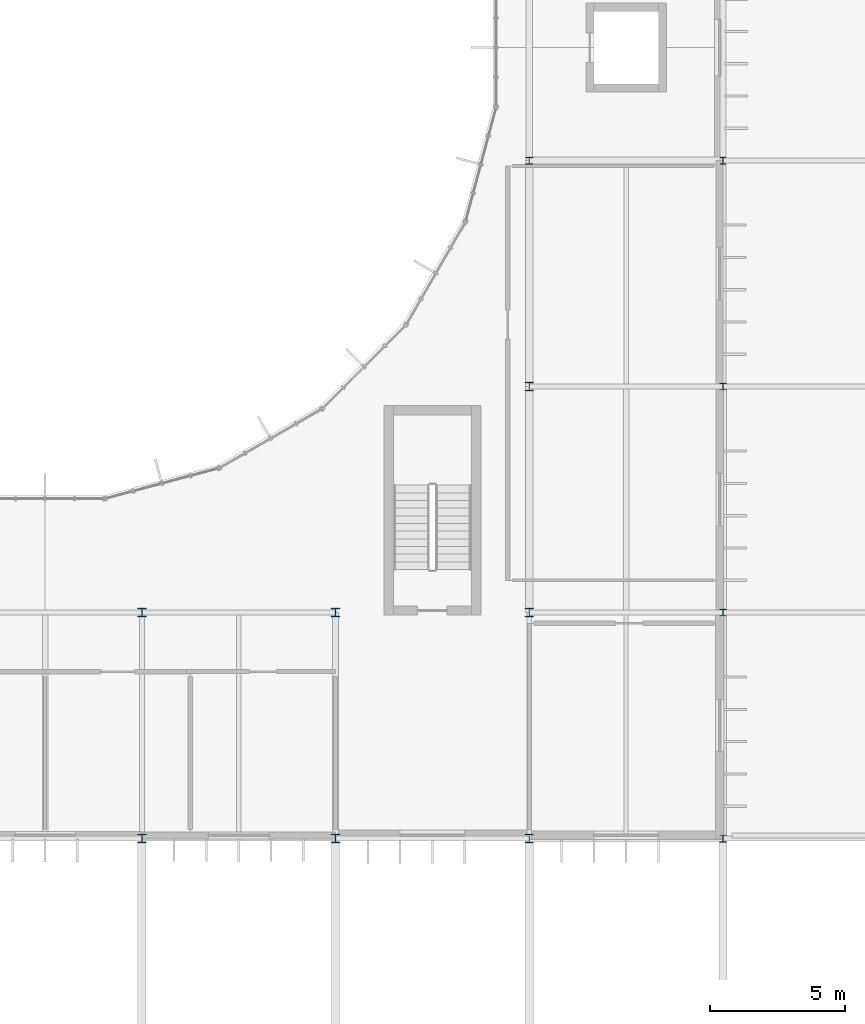
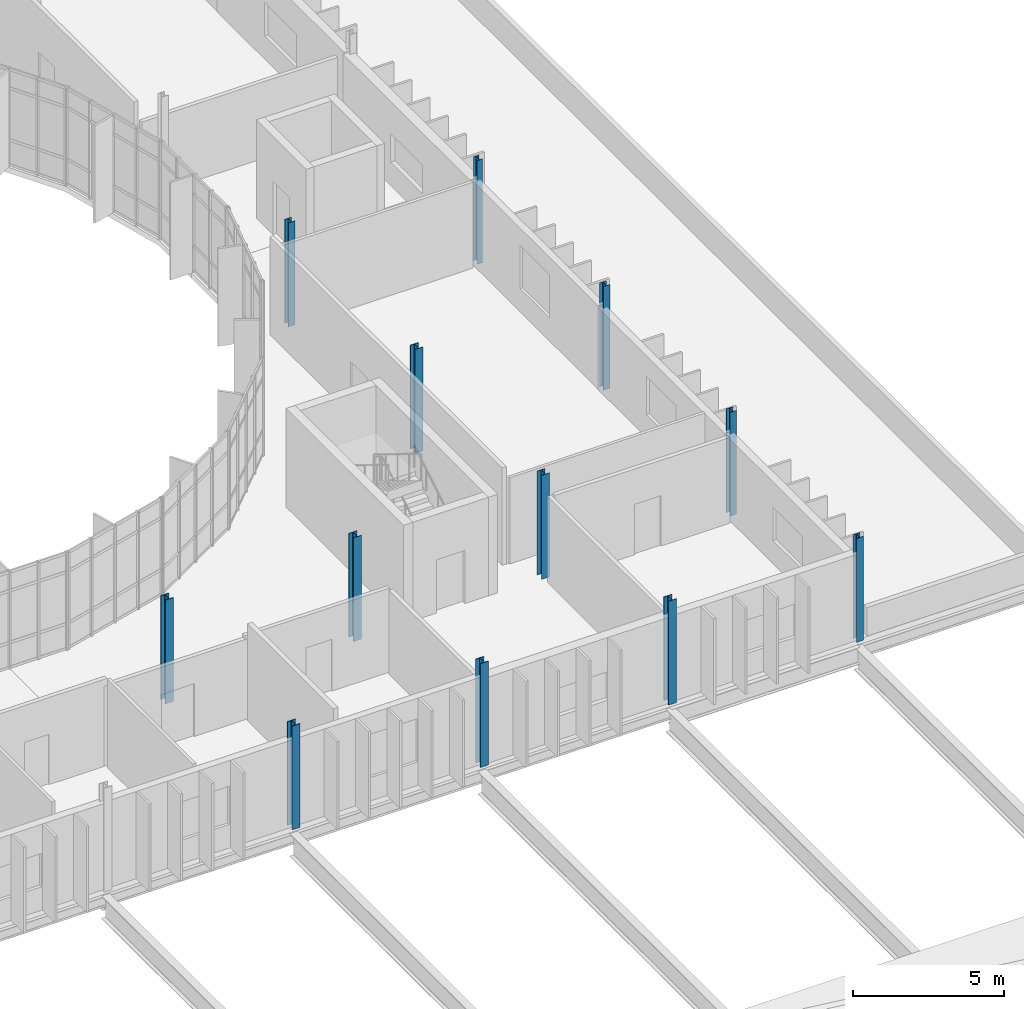
# One storey, part 15 of 99: 12 columns.
"""IFC4 building model written with IfcOpenShell, lengths in metres."""

from ifc_helpers import new_model, si_unit, direction, frame, origin, origin_2d, place, context, subcontext, project, spatial, i_section, extrude, material, material_profile, profile_set, type_object, element, save


model = new_model("IFC4")

# Units and contexts
model_context = context("Model", 3, precision=1e-05, world=origin(), true_north=direction((0.0, 1.0)))
body_context = subcontext(model_context, "Body", "Model", "MODEL_VIEW")
ifc_project = project(units=[si_unit("LENGTHUNIT", "METRE"), si_unit("AREAUNIT", "SQUARE_METRE"), si_unit("VOLUMEUNIT", "CUBIC_METRE"), si_unit("PLANEANGLEUNIT", "RADIAN"), si_unit("MASSUNIT", "GRAM", prefix="KILO")], contexts=[model_context])

# Site, building, storey
site_placement = place(None, origin())
site = spatial("IfcSite", under=ifc_project, at=site_placement, CompositionType="ELEMENT")
building_placement = place(site_placement, origin())
building = spatial("IfcBuilding", under=site, at=building_placement, Name="Qelthora Terrace Specialist Clinic", CompositionType="ELEMENT")
storey_placement = place(building_placement, frame((0.0, 0.0, 9.0)))
storey = spatial("IfcBuildingStorey", under=building, at=storey_placement, Name="L02", CompositionType="ELEMENT", Elevation=9.0)

# Columns
ifc_material = material(Name="Steel S355", Category="steel")
ifc_material_profile_1 = material_profile(ifc_material, i_section(OverallWidth=0.2041015625, OverallDepth=0.257080078125, WebThickness=0.0087890625, FlangeThickness=0.015625, FilletRadius=0.012939453125, at=origin_2d()), Name="W250X67")
ifc_profile_set_1 = profile_set([ifc_material_profile_1], Name="Steel S355")
column_type_1 = type_object("IfcColumnType", Name="COL-W250X67", PredefinedType="COLUMN", material=ifc_profile_set_1)
column_1_placement = place(storey_placement, frame((151.199951171875, 58.800048828125, 0.0), z_axis=(0.0, 0.0, 1.0), x_axis=(1.0, 0.0, 0.0)))
element("IfcColumn", 1, at=column_1_placement, inside=storey, type_object=column_type_1, Name="Column L02-243", PredefinedType="COLUMN", context=body_context, shape_type="SweptSolid", body=[
    extrude(i_section(OverallWidth=0.2041015625, OverallDepth=0.257080078125, WebThickness=0.0087890625, FlangeThickness=0.015625, FilletRadius=0.012939453125, at=origin_2d()), origin(), (0.0, 0.0, 1.0), 4.199951171875),
])
ifc_material_profile_2 = material_profile(ifc_material, i_section(OverallWidth=0.25390625, OverallDepth=0.2529296875, WebThickness=0.008544921875, FlangeThickness=0.01416015625, FilletRadius=0.012939453125, at=origin_2d()), Name="W250X73")
ifc_profile_set_2 = profile_set([ifc_material_profile_2], Name="Steel S355")
column_type_2 = type_object("IfcColumnType", Name="COL-W250X73", PredefinedType="COLUMN", material=ifc_profile_set_2)
column_2_placement = place(storey_placement, frame((151.199951171875, 50.39990234375, 0.0), z_axis=(0.0, 0.0, 1.0), x_axis=(1.0, 0.0, 0.0)))
element("IfcColumn", 2, at=column_2_placement, inside=storey, type_object=column_type_2, Name="Column L02-242", PredefinedType="COLUMN", context=body_context, shape_type="SweptSolid", body=[
    extrude(i_section(OverallWidth=0.25390625, OverallDepth=0.2529296875, WebThickness=0.008544921875, FlangeThickness=0.01416015625, FilletRadius=0.012939453125, at=origin_2d()), origin(), (0.0, 0.0, 1.0), 4.199951171875),
])
ifc_material_profile_3 = material_profile(ifc_material, i_section(OverallWidth=0.2548828125, OverallDepth=0.256103515625, WebThickness=0.009521484375, FlangeThickness=0.015625, FilletRadius=0.012939453125, at=origin_2d()), Name="W250X80")
ifc_profile_set_3 = profile_set([ifc_material_profile_3], Name="Steel S355")
column_type_3 = type_object("IfcColumnType", Name="COL-W250X80", PredefinedType="COLUMN", material=ifc_profile_set_3)
for number, where, z_axis, x_axis, name in (
    (3, (144.0, 58.800048828125, 0.0), (0.0, 0.0, 1.0), (1.0, 0.0, 0.0), "Column L02-229"),
    (4, (151.199951171875, 42.0, 0.0), (0.0, 0.0, 1.0), (1.0, 0.0, 0.0), "Column L02-241"),
):
    element("IfcColumn", number, at=place(storey_placement, frame(where, z_axis=z_axis, x_axis=x_axis)), inside=storey, type_object=column_type_3, Name=name, PredefinedType="COLUMN", context=body_context, shape_type="SweptSolid", body=[
        extrude(i_section(OverallWidth=0.2548828125, OverallDepth=0.256103515625, WebThickness=0.009521484375, FlangeThickness=0.015625, FilletRadius=0.012939453125, at=origin_2d()), origin(), (0.0, 0.0, 1.0), 4.199951171875),
    ])
ifc_material_profile_4 = material_profile(ifc_material, i_section(OverallWidth=0.256103515625, OverallDepth=0.260009765625, WebThickness=0.0107421875, FlangeThickness=0.017333984375, FilletRadius=0.012939453125, at=origin_2d()), Name="W250X89")
ifc_profile_set_4 = profile_set([ifc_material_profile_4], Name="Steel S355")
column_type_4 = type_object("IfcColumnType", Name="COL-W250X89", PredefinedType="COLUMN", material=ifc_profile_set_4)
column_3_placement = place(storey_placement, frame((151.199951171875, 33.60009765625, 0.0), z_axis=(0.0, 0.0, 1.0), x_axis=(1.0, 0.0, 0.0)))
element("IfcColumn", 5, at=column_3_placement, inside=storey, type_object=column_type_4, Name="Column L02-240", PredefinedType="COLUMN", context=body_context, shape_type="SweptSolid", body=[
    extrude(i_section(OverallWidth=0.256103515625, OverallDepth=0.260009765625, WebThickness=0.0107421875, FlangeThickness=0.017333984375, FilletRadius=0.012939453125, at=origin_2d()), origin(), (0.0, 0.0, 1.0), 4.199951171875),
])
ifc_material_profile_5 = material_profile(ifc_material, i_section(OverallWidth=0.305908203125, OverallDepth=0.31103515625, WebThickness=0.010986328125, FlangeThickness=0.01708984375, FilletRadius=0.014892578125, at=origin_2d()), Name="W310X107")
ifc_profile_set_5 = profile_set([ifc_material_profile_5], Name="Steel S355")
column_type_5 = type_object("IfcColumnType", Name="COL-W310X107", PredefinedType="COLUMN", material=ifc_profile_set_5)
column_4_placement = place(storey_placement, frame((144.0, 33.60009765625, 0.0), z_axis=(0.0, 0.0, 1.0), x_axis=(1.0, 0.0, 0.0)))
element("IfcColumn", 6, at=column_4_placement, inside=storey, type_object=column_type_5, Name="Column L02-226", PredefinedType="COLUMN", context=body_context, shape_type="SweptSolid", body=[
    extrude(i_section(OverallWidth=0.305908203125, OverallDepth=0.31103515625, WebThickness=0.010986328125, FlangeThickness=0.01708984375, FilletRadius=0.014892578125, at=origin_2d()), origin(), (0.0, 0.0, 1.0), 4.199951171875),
])
ifc_material_profile_6 = material_profile(ifc_material, i_section(OverallWidth=0.306884765625, OverallDepth=0.31396484375, WebThickness=0.011962890625, FlangeThickness=0.018798828125, FilletRadius=0.01611328125, at=origin_2d()), Name="W310X118")
ifc_profile_set_6 = profile_set([ifc_material_profile_6], Name="Steel S355")
column_type_6 = type_object("IfcColumnType", Name="COL-W310X118", PredefinedType="COLUMN", material=ifc_profile_set_6)
column_5_placement = place(storey_placement, frame((144.0, 50.39990234375, 0.0), z_axis=(0.0, 0.0, 1.0), x_axis=(1.0, 0.0, 0.0)))
element("IfcColumn", 7, at=column_5_placement, inside=storey, type_object=column_type_6, Name="Column L02-228", PredefinedType="COLUMN", context=body_context, shape_type="SweptSolid", body=[
    extrude(i_section(OverallWidth=0.306884765625, OverallDepth=0.31396484375, WebThickness=0.011962890625, FlangeThickness=0.018798828125, FilletRadius=0.01611328125, at=origin_2d()), origin(), (0.0, 0.0, 1.0), 4.199951171875),
])
ifc_material_profile_7 = material_profile(ifc_material, i_section(OverallWidth=0.30810546875, OverallDepth=0.318115234375, WebThickness=0.01318359375, FlangeThickness=0.0205078125, FilletRadius=0.01611328125, at=origin_2d()), Name="W310X129")
ifc_profile_set_7 = profile_set([ifc_material_profile_7], Name="Steel S355")
column_type_7 = type_object("IfcColumnType", Name="COL-W310X129", PredefinedType="COLUMN", material=ifc_profile_set_7)
for number, where, z_axis, x_axis, name in (
    (8, (129.60009765625, 42.0, 0.0), (0.0, 0.0, 1.0), (1.0, 0.0, 0.0), "Column L02-211"),
    (9, (136.800048828125, 42.0, 0.0), (0.0, 0.0, 1.0), (1.0, 0.0, 0.0), "Column L02-219"),
):
    element("IfcColumn", number, at=place(storey_placement, frame(where, z_axis=z_axis, x_axis=x_axis)), inside=storey, type_object=column_type_7, Name=name, PredefinedType="COLUMN", context=body_context, shape_type="SweptSolid", body=[
        extrude(i_section(OverallWidth=0.30810546875, OverallDepth=0.318115234375, WebThickness=0.01318359375, FlangeThickness=0.0205078125, FilletRadius=0.01611328125, at=origin_2d()), origin(), (0.0, 0.0, 1.0), 4.199951171875),
    ])
ifc_material_profile_8 = material_profile(ifc_material, i_section(OverallWidth=0.30908203125, OverallDepth=0.322998046875, WebThickness=0.013916015625, FlangeThickness=0.02294921875, FilletRadius=0.01611328125, at=origin_2d()), Name="W310X143")
ifc_profile_set_8 = profile_set([ifc_material_profile_8], Name="Steel S355")
column_type_8 = type_object("IfcColumnType", Name="COL-W310X143", PredefinedType="COLUMN", material=ifc_profile_set_8)
for number, where, z_axis, x_axis, name in (
    (10, (129.60009765625, 33.60009765625, 0.0), (0.0, 0.0, 1.0), (1.0, 0.0, 0.0), "Column L02-210"),
    (11, (136.800048828125, 33.60009765625, 0.0), (0.0, 0.0, 1.0), (1.0, 0.0, 0.0), "Column L02-218"),
):
    element("IfcColumn", number, at=place(storey_placement, frame(where, z_axis=z_axis, x_axis=x_axis)), inside=storey, type_object=column_type_8, Name=name, PredefinedType="COLUMN", context=body_context, shape_type="SweptSolid", body=[
        extrude(i_section(OverallWidth=0.30908203125, OverallDepth=0.322998046875, WebThickness=0.013916015625, FlangeThickness=0.02294921875, FilletRadius=0.01611328125, at=origin_2d()), origin(), (0.0, 0.0, 1.0), 4.199951171875),
    ])
ifc_material_profile_9 = material_profile(ifc_material, i_section(OverallWidth=0.304931640625, OverallDepth=0.30810546875, WebThickness=0.010009765625, FlangeThickness=0.015380859375, FilletRadius=0.014892578125, at=origin_2d()), Name="W310X97")
ifc_profile_set_9 = profile_set([ifc_material_profile_9], Name="Steel S355")
column_type_9 = type_object("IfcColumnType", Name="COL-W310X97", PredefinedType="COLUMN", material=ifc_profile_set_9)
column_6_placement = place(storey_placement, frame((144.0, 42.0, 0.0), z_axis=(0.0, 0.0, 1.0), x_axis=(1.0, 0.0, 0.0)))
element("IfcColumn", 12, at=column_6_placement, inside=storey, type_object=column_type_9, Name="Column L02-227", PredefinedType="COLUMN", context=body_context, shape_type="SweptSolid", body=[
    extrude(i_section(OverallWidth=0.304931640625, OverallDepth=0.30810546875, WebThickness=0.010009765625, FlangeThickness=0.015380859375, FilletRadius=0.014892578125, at=origin_2d()), origin(), (0.0, 0.0, 1.0), 4.199951171875),
])

save(model, "model.ifc")
